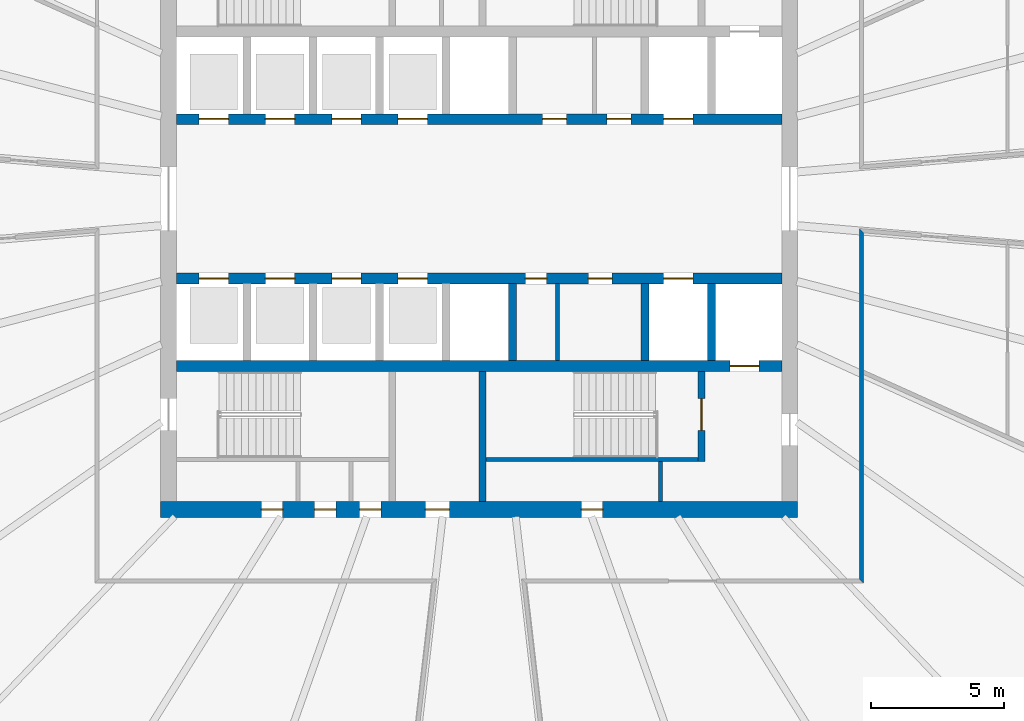
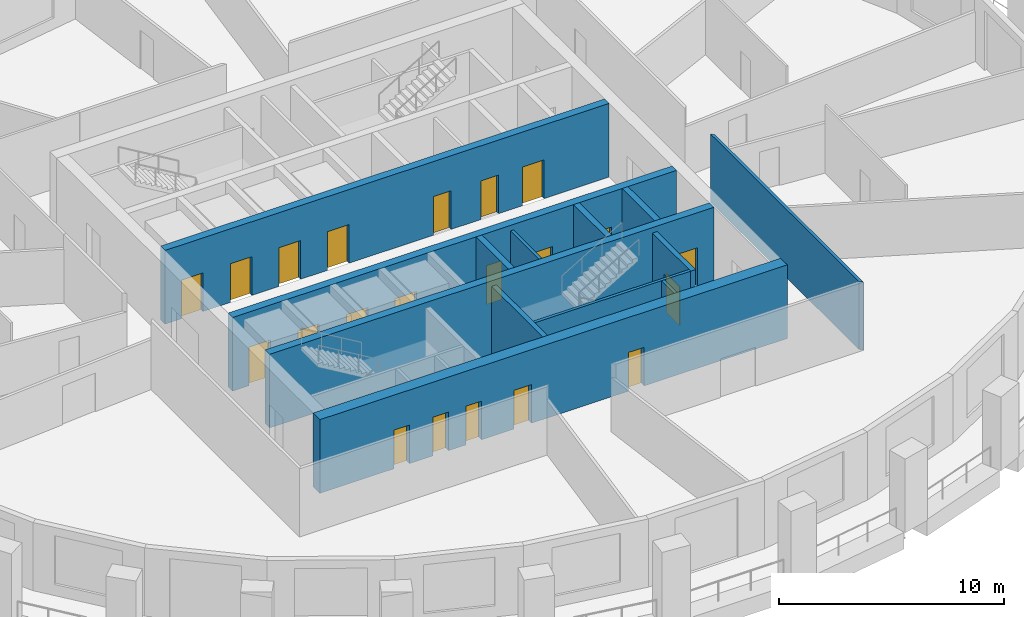
# One storey, part 4 of 10: 21 doors, 13 walls, 21 openings.
"""IFC4 building model written with IfcOpenShell, lengths in metres."""

from ifc_helpers import new_model, si_unit, direction, frame, frame_2d, origin, place, context, subcontext, project, spatial, polyline, rectangle, outline, extrude, material, layer, layer_set, type_object, element, fill, save


model = new_model("IFC4")

# Units and contexts
model_context = context("Model", 3, precision=1e-05, world=origin(), true_north=direction((0.0, 1.0)))
body_context = subcontext(model_context, "Body", "Model", "MODEL_VIEW")
ifc_project = project(units=[si_unit("LENGTHUNIT", "METRE"), si_unit("AREAUNIT", "SQUARE_METRE"), si_unit("VOLUMEUNIT", "CUBIC_METRE"), si_unit("PLANEANGLEUNIT", "RADIAN"), si_unit("MASSUNIT", "GRAM", prefix="KILO")], contexts=[model_context])

# Site, building, storey
site_placement = place(None, origin())
site = spatial("IfcSite", under=ifc_project, at=site_placement, CompositionType="ELEMENT")
building_placement = place(site_placement, origin())
building = spatial("IfcBuilding", under=site, at=building_placement, Name="Halqa Exchange Tower", CompositionType="ELEMENT")
storey_placement = place(building_placement, frame((0.0, 0.0, 182.89990234375)))
storey = spatial("IfcBuildingStorey", under=building, at=storey_placement, Name="L41", CompositionType="ELEMENT", Elevation=182.89990234375)

# Walls
ifc_material_1 = material(Name="Fire-rated gypsum board")
ifc_layer_1 = layer(ifc_material_1, 0.14990234375)
ifc_layer_set_1 = layer_set([ifc_layer_1], Name="Fire-rated gypsum board")
wall_type_1 = type_object("IfcWallType", Name="Fire partition EI 60 150", PredefinedType="PARTITIONING", material=ifc_layer_set_1)
wall_1_placement = place(storey_placement, frame((14.39990234375, -14.47509765625, 0.0), z_axis=(0.0, 0.0, 1.0), x_axis=(0.0, 1.0, 0.0)))
element("IfcWall", 1, at=wall_1_placement, inside=storey, type_object=wall_type_1, Name="L41-PWL-019", PredefinedType="PARTITIONING", context=body_context, shape_type="SweptSolid", body=[
    extrude(outline(polyline([(0.000244140625, -0.074951171875), (1.885009765625, -0.074951171875), (3.769775390625, -0.074951171875), (5.654541015625, -0.074951171875), (7.539306640625, -0.074951171875), (9.424072265625, -0.074951171875), (11.308837890625, -0.074951171875), (13.193603515625, -0.074951171875), (13.356689453125, 0.074951171875), (11.469970703125, 0.074951171875), (9.58349609375, 0.074951171875), (7.69677734375, 0.074951171875), (5.81005859375, 0.074951171875), (3.92333984375, 0.074951171875), (2.036865234375, 0.074951171875), (0.150146484375, 0.074951171875), (0.000244140625, -0.074951171875)])), origin(), (0.0, 0.0, 1.0), 3.7001953125),
])
ifc_material_2 = material(Name="Gypsum board")
ifc_layer_2 = layer(ifc_material_2, 0.14990234375)
ifc_layer_set_2 = layer_set([ifc_layer_2], Name="Gypsum board")
wall_type_2 = type_object("IfcWallType", Name="Penthouse riser wall 150 gypsum", PredefinedType="PARTITIONING", material=ifc_layer_set_2)
wall_2_placement = place(storey_placement, frame((6.824951171875, -11.39990234375, 0.0), z_axis=(0.0, 0.0, 1.0), x_axis=(0.0, 1.0, 0.0)))
element("IfcWall", 2, at=wall_2_placement, inside=storey, type_object=wall_type_2, Name="Firefighting lobby west wall S", PredefinedType="PARTITIONING", context=body_context, shape_type="SweptSolid", body=[
    extrude(rectangle(XDim=1.5, YDim=0.14990234375, at=frame_2d((0.75, 0.0))), origin(), (0.0, 0.0, 1.0), 3.7001953125),
])
wall_3_placement = place(storey_placement, frame((2.949951171875, -6.10009765625, 0.0), z_axis=(0.0, 0.0, 1.0), x_axis=(0.0, 1.0, 0.0)))
element("IfcWall", 3, at=wall_3_placement, inside=storey, type_object=wall_type_2, Name="Freed bay partition SE2.950", PredefinedType="PARTITIONING", context=body_context, shape_type="SweptSolid", body=[
    extrude(rectangle(XDim=2.900146484375, YDim=0.14990234375, at=frame_2d((1.4501953125, 0.0))), origin(), (0.0, 0.0, 1.0), 3.7001953125),
])
ifc_material_3 = material(Name="Concrete C60/75", Category="concrete")
ifc_layer_3 = layer(ifc_material_3, 0.300048828125)
ifc_layer_set_3 = layer_set([ifc_layer_3], Name="Concrete C60/75")
wall_type_3 = type_object("IfcWallType", Name="RC core wall 300", PredefinedType="SHEAR", material=ifc_layer_set_3)
for number, where, z_axis, x_axis, name in (
    (4, (1.25, -6.10009765625, 0.0), (0.0, 0.0, 1.0), (0.0, 1.0, 0.0), "Shaft divider S5"),
    (5, (6.25, -6.10009765625, 0.0), (0.0, 0.0, 1.0), (0.0, 1.0, 0.0), "Shaft divider S7"),
    (6, (8.75, -6.10009765625, 0.0), (0.0, 0.0, 1.0), (0.0, 1.0, 0.0), "Shaft divider S8"),
):
    element("IfcWall", number, at=place(storey_placement, frame(where, z_axis=z_axis, x_axis=x_axis)), inside=storey, type_object=wall_type_3, Name=name, PredefinedType="SHEAR", context=body_context, shape_type="SweptSolid", body=[
        extrude(rectangle(XDim=2.900146484375, YDim=0.300048828125, at=frame_2d((1.4501953125, 0.0))), origin(), (0.0, 0.0, 1.0), 4.0),
    ])

# Wall, openings, doors
ifc_material_4 = material(Name="Concrete C70/85", Category="concrete")
ifc_layer_4 = layer(ifc_material_4, 0.39990234375)
ifc_layer_set_4 = layer_set([ifc_layer_4], Name="Concrete C70/85")
wall_type_4 = type_object("IfcWallType", Name="RC core wall 400 C70/85", PredefinedType="SHEAR", material=ifc_layer_set_4)
wall_4_placement = place(storey_placement, frame((-11.39990234375, 3.0, 0.0), z_axis=(0.0, 0.0, 1.0), x_axis=(1.0, 0.0, 0.0)))
wall_4 = element("IfcWall", 7, at=wall_4_placement, inside=storey, type_object=wall_type_4, Name="Lift row front wall N", PredefinedType="SHEAR", context=body_context, shape_type="SweptSolid", body=[
    extrude(rectangle(XDim=22.7998046875, YDim=0.39990234375, at=frame_2d((11.39990234375, 0.0))), origin(), (0.0, 0.0, 1.0), 4.0),
])
opening_1_placement = place(wall_4_placement, frame((0.85009765625, 0.0, 0.0)))
opening_1 = element("IfcOpeningElement", 8, at=opening_1_placement, cuts=wall_4, Name="Opening LD-HR1-T12", PredefinedType="OPENING", context=body_context, shape_type="SweptSolid", body=[
    extrude(rectangle(XDim=1.10009765625, YDim=2.10009765625, at=frame_2d((0.550048828125, 1.050048828125))), frame((0.0, 0.2119140625, 0.0), z_axis=(0.0, -1.0, 0.0), x_axis=(1.0, 0.0, 0.0)), (0.0, 0.0, 1.0), 0.423828125),
])
opening_2_placement = place(wall_4_placement, frame((3.35009765625, 0.0, 0.0)))
opening_2 = element("IfcOpeningElement", 9, at=opening_2_placement, cuts=wall_4, Name="Opening LD-HR2-T12", PredefinedType="OPENING", context=body_context, shape_type="SweptSolid", body=[
    extrude(rectangle(XDim=1.10009765625, YDim=2.10009765625, at=frame_2d((0.550048828125, 1.050048828125))), frame((0.0, 0.2119140625, 0.0), z_axis=(0.0, -1.0, 0.0), x_axis=(1.0, 0.0, 0.0)), (0.0, 0.0, 1.0), 0.423828125),
])
opening_3_placement = place(wall_4_placement, frame((5.85009765625, 0.0, 0.0)))
opening_3 = element("IfcOpeningElement", 10, at=opening_3_placement, cuts=wall_4, Name="Opening LD-MR1-T12", PredefinedType="OPENING", context=body_context, shape_type="SweptSolid", body=[
    extrude(rectangle(XDim=1.10009765625, YDim=2.10009765625, at=frame_2d((0.550048828125, 1.050048828125))), frame((0.0, 0.2119140625, 0.0), z_axis=(0.0, -1.0, 0.0), x_axis=(1.0, 0.0, 0.0)), (0.0, 0.0, 1.0), 0.423828125),
])
opening_4_placement = place(wall_4_placement, frame((8.35009765625, 0.0, 0.0)))
opening_4 = element("IfcOpeningElement", 11, at=opening_4_placement, cuts=wall_4, Name="Opening LD-MR2-T12", PredefinedType="OPENING", context=body_context, shape_type="SweptSolid", body=[
    extrude(rectangle(XDim=1.10009765625, YDim=2.10009765625, at=frame_2d((0.550048828125, 1.050048828125))), frame((0.0, 0.2119140625, 0.0), z_axis=(0.0, -1.0, 0.0), x_axis=(1.0, 0.0, 0.0)), (0.0, 0.0, 1.0), 0.423828125),
])
opening_5_placement = place(wall_4_placement, frame((18.35009765625, 0.0, 0.0)))
opening_5 = element("IfcOpeningElement", 12, at=opening_5_placement, cuts=wall_4, Name="Opening LD-SV1-T12", PredefinedType="OPENING", context=body_context, shape_type="SweptSolid", body=[
    extrude(rectangle(XDim=1.10009765625, YDim=2.10009765625, at=frame_2d((0.550048828125, 1.050048828125))), frame((0.0, 0.2119140625, 0.0), z_axis=(0.0, -1.0, 0.0), x_axis=(1.0, 0.0, 0.0)), (0.0, 0.0, 1.0), 0.423828125),
])
opening_6_placement = place(wall_4_placement, frame((13.78759765625, 0.0, 0.0)))
opening_6 = element("IfcOpeningElement", 13, at=opening_6_placement, cuts=wall_4, Name="Opening T12-C31", PredefinedType="OPENING", context=body_context, shape_type="SweptSolid", body=[
    extrude(rectangle(XDim=0.89990234375, YDim=2.10009765625, at=frame_2d((0.449951171875, 1.050048828125))), frame((0.0, 0.2119140625, 0.0), z_axis=(0.0, -1.0, 0.0), x_axis=(1.0, 0.0, 0.0)), (0.0, 0.0, 1.0), 0.423828125),
])
opening_7_placement = place(wall_4_placement, frame((16.21240234375, 0.0, 0.0)))
opening_7 = element("IfcOpeningElement", 14, at=opening_7_placement, cuts=wall_4, Name="Opening T12-C32", PredefinedType="OPENING", context=body_context, shape_type="SweptSolid", body=[
    extrude(rectangle(XDim=0.89990234375, YDim=2.10009765625, at=frame_2d((0.449951171875, 1.050048828125))), frame((0.0, 0.2119140625, 0.0), z_axis=(0.0, -1.0, 0.0), x_axis=(1.0, 0.0, 0.0)), (0.0, 0.0, 1.0), 0.423828125),
])
ifc_material_5 = material(Name="Timber fire door leaf", Category="wood")
door_type_1 = type_object("IfcDoorType", Name="Core room door FD30 900 x 2100", OperationType="SINGLE_SWING_LEFT", PredefinedType="DOOR", material=ifc_material_5)
door_1_placement = place(opening_6_placement, origin())
door_1 = element("IfcDoor", 15, at=door_1_placement, inside=storey, type_object=door_type_1, Name="Core room door", OperationType="SINGLE_SWING_RIGHT", OverallHeight=2.10009765625, OverallWidth=0.89990234375, PredefinedType="DOOR", context=body_context, shape_type="SweptSolid", body=[
    extrude(rectangle(XDim=0.89990234375, YDim=2.10009765625, at=frame_2d((0.449951171875, 1.050048828125))), frame((0.0, 0.02490234375, 0.0), z_axis=(0.0, -1.0, 0.0), x_axis=(1.0, 0.0, 0.0)), (0.0, 0.0, 1.0), 0.050048828125),
])
fill(opening_6, door_1)
door_2_placement = place(opening_7_placement, origin())
door_2 = element("IfcDoor", 16, at=door_2_placement, inside=storey, type_object=door_type_1, Name="Core room door", OperationType="SINGLE_SWING_RIGHT", OverallHeight=2.10009765625, OverallWidth=0.89990234375, PredefinedType="DOOR", context=body_context, shape_type="SweptSolid", body=[
    extrude(rectangle(XDim=0.89990234375, YDim=2.10009765625, at=frame_2d((0.449951171875, 1.050048828125))), frame((0.0, 0.02490234375, 0.0), z_axis=(0.0, -1.0, 0.0), x_axis=(1.0, 0.0, 0.0)), (0.0, 0.0, 1.0), 0.050048828125),
])
fill(opening_7, door_2)
ifc_material_6 = material(Name="Stainless steel", Category="steel")
door_type_2 = type_object("IfcDoorType", Name="Lift landing door 1100 x 2100", OperationType="SLIDING_TO_LEFT", PredefinedType="DOOR", material=ifc_material_6)
door_3_placement = place(opening_1_placement, origin())
door_3 = element("IfcDoor", 17, at=door_3_placement, inside=storey, type_object=door_type_2, Name="Lift landing door HR1", OperationType="SLIDING_TO_LEFT", OverallHeight=2.10009765625, OverallWidth=1.10009765625, PredefinedType="DOOR", context=body_context, shape_type="SweptSolid", body=[
    extrude(rectangle(XDim=1.10009765625, YDim=2.10009765625, at=frame_2d((0.550048828125, 1.050048828125))), frame((0.0, 0.02490234375, 0.0), z_axis=(0.0, -1.0, 0.0), x_axis=(1.0, 0.0, 0.0)), (0.0, 0.0, 1.0), 0.050048828125),
])
fill(opening_1, door_3)
door_4_placement = place(opening_2_placement, origin())
door_4 = element("IfcDoor", 18, at=door_4_placement, inside=storey, type_object=door_type_2, Name="Lift landing door HR2", OperationType="SLIDING_TO_LEFT", OverallHeight=2.10009765625, OverallWidth=1.10009765625, PredefinedType="DOOR", context=body_context, shape_type="SweptSolid", body=[
    extrude(rectangle(XDim=1.10009765625, YDim=2.10009765625, at=frame_2d((0.550048828125, 1.050048828125))), frame((0.0, 0.02490234375, 0.0), z_axis=(0.0, -1.0, 0.0), x_axis=(1.0, 0.0, 0.0)), (0.0, 0.0, 1.0), 0.050048828125),
])
fill(opening_2, door_4)
door_5_placement = place(opening_3_placement, origin())
door_5 = element("IfcDoor", 19, at=door_5_placement, inside=storey, type_object=door_type_2, Name="Lift landing door MR1", OperationType="SLIDING_TO_LEFT", OverallHeight=2.10009765625, OverallWidth=1.10009765625, PredefinedType="DOOR", context=body_context, shape_type="SweptSolid", body=[
    extrude(rectangle(XDim=1.10009765625, YDim=2.10009765625, at=frame_2d((0.550048828125, 1.050048828125))), frame((0.0, 0.02490234375, 0.0), z_axis=(0.0, -1.0, 0.0), x_axis=(1.0, 0.0, 0.0)), (0.0, 0.0, 1.0), 0.050048828125),
])
fill(opening_3, door_5)
door_6_placement = place(opening_4_placement, origin())
door_6 = element("IfcDoor", 20, at=door_6_placement, inside=storey, type_object=door_type_2, Name="Lift landing door MR2", OperationType="SLIDING_TO_LEFT", OverallHeight=2.10009765625, OverallWidth=1.10009765625, PredefinedType="DOOR", context=body_context, shape_type="SweptSolid", body=[
    extrude(rectangle(XDim=1.10009765625, YDim=2.10009765625, at=frame_2d((0.550048828125, 1.050048828125))), frame((0.0, 0.02490234375, 0.0), z_axis=(0.0, -1.0, 0.0), x_axis=(1.0, 0.0, 0.0)), (0.0, 0.0, 1.0), 0.050048828125),
])
fill(opening_4, door_6)
door_7_placement = place(opening_5_placement, origin())
door_7 = element("IfcDoor", 21, at=door_7_placement, inside=storey, type_object=door_type_2, Name="Lift landing door SV1", OperationType="SLIDING_TO_LEFT", OverallHeight=2.10009765625, OverallWidth=1.10009765625, PredefinedType="DOOR", context=body_context, shape_type="SweptSolid", body=[
    extrude(rectangle(XDim=1.10009765625, YDim=2.10009765625, at=frame_2d((0.550048828125, 1.050048828125))), frame((0.0, 0.02490234375, 0.0), z_axis=(0.0, -1.0, 0.0), x_axis=(1.0, 0.0, 0.0)), (0.0, 0.0, 1.0), 0.050048828125),
])
fill(opening_5, door_7)

wall_5_placement = place(storey_placement, frame((-11.39990234375, -3.0, 0.0), z_axis=(0.0, 0.0, 1.0), x_axis=(1.0, 0.0, 0.0)))
wall_5 = element("IfcWall", 22, at=wall_5_placement, inside=storey, type_object=wall_type_4, Name="Lift row front wall S", PredefinedType="SHEAR", context=body_context, shape_type="SweptSolid", body=[
    extrude(rectangle(XDim=22.7998046875, YDim=0.39990234375, at=frame_2d((11.39990234375, 0.0))), origin(), (0.0, 0.0, 1.0), 4.0),
])
opening_8_placement = place(wall_5_placement, frame((0.85009765625, 0.0, 0.0)))
opening_8 = element("IfcOpeningElement", 23, at=opening_8_placement, cuts=wall_5, Name="Opening LD-HR3-T12", PredefinedType="OPENING", context=body_context, shape_type="SweptSolid", body=[
    extrude(rectangle(XDim=1.10009765625, YDim=2.10009765625, at=frame_2d((0.550048828125, 1.050048828125))), frame((0.0, 0.2119140625, 0.0), z_axis=(0.0, -1.0, 0.0), x_axis=(1.0, 0.0, 0.0)), (0.0, 0.0, 1.0), 0.423828125),
])
opening_9_placement = place(wall_5_placement, frame((3.35009765625, 0.0, 0.0)))
opening_9 = element("IfcOpeningElement", 24, at=opening_9_placement, cuts=wall_5, Name="Opening LD-HR4-T12", PredefinedType="OPENING", context=body_context, shape_type="SweptSolid", body=[
    extrude(rectangle(XDim=1.10009765625, YDim=2.10009765625, at=frame_2d((0.550048828125, 1.050048828125))), frame((0.0, 0.2119140625, 0.0), z_axis=(0.0, -1.0, 0.0), x_axis=(1.0, 0.0, 0.0)), (0.0, 0.0, 1.0), 0.423828125),
])
opening_10_placement = place(wall_5_placement, frame((5.85009765625, 0.0, 0.0)))
opening_10 = element("IfcOpeningElement", 25, at=opening_10_placement, cuts=wall_5, Name="Opening LD-MR3-T12", PredefinedType="OPENING", context=body_context, shape_type="SweptSolid", body=[
    extrude(rectangle(XDim=1.10009765625, YDim=2.10009765625, at=frame_2d((0.550048828125, 1.050048828125))), frame((0.0, 0.2119140625, 0.0), z_axis=(0.0, -1.0, 0.0), x_axis=(1.0, 0.0, 0.0)), (0.0, 0.0, 1.0), 0.423828125),
])
opening_11_placement = place(wall_5_placement, frame((8.35009765625, 0.0, 0.0)))
opening_11 = element("IfcOpeningElement", 26, at=opening_11_placement, cuts=wall_5, Name="Opening LD-MR4-T12", PredefinedType="OPENING", context=body_context, shape_type="SweptSolid", body=[
    extrude(rectangle(XDim=1.10009765625, YDim=2.10009765625, at=frame_2d((0.550048828125, 1.050048828125))), frame((0.0, 0.2119140625, 0.0), z_axis=(0.0, -1.0, 0.0), x_axis=(1.0, 0.0, 0.0)), (0.0, 0.0, 1.0), 0.423828125),
])
opening_12_placement = place(wall_5_placement, frame((18.35009765625, 0.0, 0.0)))
opening_12 = element("IfcOpeningElement", 27, at=opening_12_placement, cuts=wall_5, Name="Opening LD-SV2-T12", PredefinedType="OPENING", context=body_context, shape_type="SweptSolid", body=[
    extrude(rectangle(XDim=1.10009765625, YDim=2.10009765625, at=frame_2d((0.550048828125, 1.050048828125))), frame((0.0, 0.2119140625, 0.0), z_axis=(0.0, -1.0, 0.0), x_axis=(1.0, 0.0, 0.0)), (0.0, 0.0, 1.0), 0.423828125),
])
opening_13_placement = place(wall_5_placement, frame((13.137451171875, 0.0, 0.0)))
opening_13 = element("IfcOpeningElement", 28, at=opening_13_placement, cuts=wall_5, Name="Opening T12-C33", PredefinedType="OPENING", context=body_context, shape_type="SweptSolid", body=[
    extrude(rectangle(XDim=0.800048828125, YDim=2.10009765625, at=frame_2d((0.39990234375, 1.050048828125))), frame((0.0, 0.2119140625, 0.0), z_axis=(0.0, -1.0, 0.0), x_axis=(1.0, 0.0, 0.0)), (0.0, 0.0, 1.0), 0.423828125),
])
opening_14_placement = place(wall_5_placement, frame((15.512451171875, 0.0, 0.0)))
opening_14 = element("IfcOpeningElement", 29, at=opening_14_placement, cuts=wall_5, Name="Opening T12-C34", PredefinedType="OPENING", context=body_context, shape_type="SweptSolid", body=[
    extrude(rectangle(XDim=0.89990234375, YDim=2.10009765625, at=frame_2d((0.449951171875, 1.050048828125))), frame((0.0, 0.2119140625, 0.0), z_axis=(0.0, -1.0, 0.0), x_axis=(1.0, 0.0, 0.0)), (0.0, 0.0, 1.0), 0.423828125),
])
door_8_placement = place(opening_14_placement, frame((0.89990234375, 0.0, 0.0), z_axis=(0.0, 0.0, 1.0), x_axis=(-1.0, 0.0, 0.0)))
door_8 = element("IfcDoor", 30, at=door_8_placement, inside=storey, type_object=door_type_1, Name="Core room door", OperationType="SINGLE_SWING_RIGHT", OverallHeight=2.10009765625, OverallWidth=0.89990234375, PredefinedType="DOOR", context=body_context, shape_type="SweptSolid", body=[
    extrude(rectangle(XDim=0.89990234375, YDim=2.10009765625, at=frame_2d((0.449951171875, 1.050048828125))), frame((0.0, 0.02490234375, 0.0), z_axis=(0.0, -1.0, 0.0), x_axis=(1.0, 0.0, 0.0)), (0.0, 0.0, 1.0), 0.050048828125),
])
fill(opening_14, door_8)
door_9_placement = place(opening_8_placement, origin())
door_9 = element("IfcDoor", 31, at=door_9_placement, inside=storey, type_object=door_type_2, Name="Lift landing door HR3", OperationType="SLIDING_TO_LEFT", OverallHeight=2.10009765625, OverallWidth=1.10009765625, PredefinedType="DOOR", context=body_context, shape_type="SweptSolid", body=[
    extrude(rectangle(XDim=1.10009765625, YDim=2.10009765625, at=frame_2d((0.550048828125, 1.050048828125))), frame((0.0, 0.02490234375, 0.0), z_axis=(0.0, -1.0, 0.0), x_axis=(1.0, 0.0, 0.0)), (0.0, 0.0, 1.0), 0.050048828125),
])
fill(opening_8, door_9)
door_10_placement = place(opening_9_placement, origin())
door_10 = element("IfcDoor", 32, at=door_10_placement, inside=storey, type_object=door_type_2, Name="Lift landing door HR4", OperationType="SLIDING_TO_LEFT", OverallHeight=2.10009765625, OverallWidth=1.10009765625, PredefinedType="DOOR", context=body_context, shape_type="SweptSolid", body=[
    extrude(rectangle(XDim=1.10009765625, YDim=2.10009765625, at=frame_2d((0.550048828125, 1.050048828125))), frame((0.0, 0.02490234375, 0.0), z_axis=(0.0, -1.0, 0.0), x_axis=(1.0, 0.0, 0.0)), (0.0, 0.0, 1.0), 0.050048828125),
])
fill(opening_9, door_10)
door_11_placement = place(opening_10_placement, origin())
door_11 = element("IfcDoor", 33, at=door_11_placement, inside=storey, type_object=door_type_2, Name="Lift landing door MR3", OperationType="SLIDING_TO_LEFT", OverallHeight=2.10009765625, OverallWidth=1.10009765625, PredefinedType="DOOR", context=body_context, shape_type="SweptSolid", body=[
    extrude(rectangle(XDim=1.10009765625, YDim=2.10009765625, at=frame_2d((0.550048828125, 1.050048828125))), frame((0.0, 0.02490234375, 0.0), z_axis=(0.0, -1.0, 0.0), x_axis=(1.0, 0.0, 0.0)), (0.0, 0.0, 1.0), 0.050048828125),
])
fill(opening_10, door_11)
door_12_placement = place(opening_11_placement, origin())
door_12 = element("IfcDoor", 34, at=door_12_placement, inside=storey, type_object=door_type_2, Name="Lift landing door MR4", OperationType="SLIDING_TO_LEFT", OverallHeight=2.10009765625, OverallWidth=1.10009765625, PredefinedType="DOOR", context=body_context, shape_type="SweptSolid", body=[
    extrude(rectangle(XDim=1.10009765625, YDim=2.10009765625, at=frame_2d((0.550048828125, 1.050048828125))), frame((0.0, 0.02490234375, 0.0), z_axis=(0.0, -1.0, 0.0), x_axis=(1.0, 0.0, 0.0)), (0.0, 0.0, 1.0), 0.050048828125),
])
fill(opening_11, door_12)
door_13_placement = place(opening_12_placement, origin())
door_13 = element("IfcDoor", 35, at=door_13_placement, inside=storey, type_object=door_type_2, Name="Lift landing door SV2", OperationType="SLIDING_TO_LEFT", OverallHeight=2.10009765625, OverallWidth=1.10009765625, PredefinedType="DOOR", context=body_context, shape_type="SweptSolid", body=[
    extrude(rectangle(XDim=1.10009765625, YDim=2.10009765625, at=frame_2d((0.550048828125, 1.050048828125))), frame((0.0, 0.02490234375, 0.0), z_axis=(0.0, -1.0, 0.0), x_axis=(1.0, 0.0, 0.0)), (0.0, 0.0, 1.0), 0.050048828125),
])
fill(opening_12, door_13)
ifc_material_7 = material(Name="Steel fire door leaf", Category="steel")
door_type_3 = type_object("IfcDoorType", Name="Riser door FD60 800 x 2100", OperationType="SINGLE_SWING_LEFT", PredefinedType="DOOR", material=ifc_material_7)
door_14_placement = place(opening_13_placement, frame((0.800048828125, 0.0, 0.0), z_axis=(0.0, 0.0, 1.0), x_axis=(-1.0, 0.0, 0.0)))
door_14 = element("IfcDoor", 36, at=door_14_placement, inside=storey, type_object=door_type_3, Name="Core room door", OperationType="SINGLE_SWING_LEFT", OverallHeight=2.10009765625, OverallWidth=0.800048828125, PredefinedType="DOOR", context=body_context, shape_type="SweptSolid", body=[
    extrude(rectangle(XDim=0.800048828125, YDim=2.10009765625, at=frame_2d((0.39990234375, 1.050048828125))), frame((0.0, 0.02490234375, 0.0), z_axis=(0.0, -1.0, 0.0), x_axis=(1.0, 0.0, 0.0)), (0.0, 0.0, 1.0), 0.050048828125),
])
fill(opening_13, door_14)

# Wall, opening, door
wall_6_placement = place(storey_placement, frame((-11.39990234375, -6.300048828125, 0.0), z_axis=(0.0, 0.0, 1.0), x_axis=(1.0, 0.0, 0.0)))
wall_6 = element("IfcWall", 37, at=wall_6_placement, inside=storey, type_object=wall_type_4, Name="Lift row back wall S", PredefinedType="SHEAR", context=body_context, shape_type="SweptSolid", body=[
    extrude(rectangle(XDim=22.7998046875, YDim=0.39990234375, at=frame_2d((11.39990234375, 0.0))), origin(), (0.0, 0.0, 1.0), 4.0),
])
opening_15_placement = place(wall_6_placement, frame((20.85009765625, 0.0, 0.0)))
opening_15 = element("IfcOpeningElement", 38, at=opening_15_placement, cuts=wall_6, Name="Opening LD-FF2-T12", PredefinedType="OPENING", context=body_context, shape_type="SweptSolid", body=[
    extrude(rectangle(XDim=1.10009765625, YDim=2.10009765625, at=frame_2d((0.550048828125, 1.050048828125))), frame((0.0, 0.2119140625, 0.0), z_axis=(0.0, -1.0, 0.0), x_axis=(1.0, 0.0, 0.0)), (0.0, 0.0, 1.0), 0.423828125),
])
door_15_placement = place(opening_15_placement, origin())
door_15 = element("IfcDoor", 39, at=door_15_placement, inside=storey, type_object=door_type_2, Name="Lift landing door FF2", OperationType="SLIDING_TO_LEFT", OverallHeight=2.10009765625, OverallWidth=1.10009765625, PredefinedType="DOOR", context=body_context, shape_type="SweptSolid", body=[
    extrude(rectangle(XDim=1.10009765625, YDim=2.10009765625, at=frame_2d((0.550048828125, 1.050048828125))), frame((0.0, 0.02490234375, 0.0), z_axis=(0.0, -1.0, 0.0), x_axis=(1.0, 0.0, 0.0)), (0.0, 0.0, 1.0), 0.050048828125),
])
fill(opening_15, door_15)

# Wall, openings, doors
ifc_layer_5 = layer(ifc_material_4, 0.60009765625)
ifc_layer_set_5 = layer_set([ifc_layer_5], Name="Concrete C70/85")
wall_type_5 = type_object("IfcWallType", Name="RC core wall 600 C70/85", PredefinedType="SHEAR", material=ifc_layer_set_5)
wall_7_placement = place(storey_placement, frame((-12.0, -11.699951171875, 0.0), z_axis=(0.0, 0.0, 1.0), x_axis=(1.0, 0.0, 0.0)))
wall_7 = element("IfcWall", 40, at=wall_7_placement, inside=storey, type_object=wall_type_5, Name="Core wall south", PredefinedType="SHEAR", context=body_context, shape_type="SweptSolid", body=[
    extrude(rectangle(XDim=24.0, YDim=0.60009765625, at=frame_2d((12.0, 0.0))), origin(), (0.0, 0.0, 1.0), 4.0),
])
opening_16_placement = place(wall_7_placement, frame((9.97509765625, 0.0, 0.0)))
opening_16 = element("IfcOpeningElement", 41, at=opening_16_placement, cuts=wall_7, Name="Opening T12-C26", PredefinedType="OPENING", context=body_context, shape_type="SweptSolid", body=[
    extrude(rectangle(XDim=0.89990234375, YDim=2.10009765625, at=frame_2d((0.449951171875, 1.050048828125))), frame((0.0, 0.31201171875, 0.0), z_axis=(0.0, -1.0, 0.0), x_axis=(1.0, 0.0, 0.0)), (0.0, 0.0, 1.0), 0.6240234375),
])
opening_17_placement = place(wall_7_placement, frame((3.800048828125, 0.0, 0.0)))
opening_17 = element("IfcOpeningElement", 42, at=opening_17_placement, cuts=wall_7, Name="Opening T12-C27", PredefinedType="OPENING", context=body_context, shape_type="SweptSolid", body=[
    extrude(rectangle(XDim=0.800048828125, YDim=2.10009765625, at=frame_2d((0.39990234375, 1.050048828125))), frame((0.0, 0.31201171875, 0.0), z_axis=(0.0, -1.0, 0.0), x_axis=(1.0, 0.0, 0.0)), (0.0, 0.0, 1.0), 0.6240234375),
])
opening_18_placement = place(wall_7_placement, frame((5.800048828125, 0.0, 0.0)))
opening_18 = element("IfcOpeningElement", 43, at=opening_18_placement, cuts=wall_7, Name="Opening T12-C28", PredefinedType="OPENING", context=body_context, shape_type="SweptSolid", body=[
    extrude(rectangle(XDim=0.800048828125, YDim=2.10009765625, at=frame_2d((0.39990234375, 1.050048828125))), frame((0.0, 0.31201171875, 0.0), z_axis=(0.0, -1.0, 0.0), x_axis=(1.0, 0.0, 0.0)), (0.0, 0.0, 1.0), 0.6240234375),
])
opening_19_placement = place(wall_7_placement, frame((7.5, 0.0, 0.0)))
opening_19 = element("IfcOpeningElement", 44, at=opening_19_placement, cuts=wall_7, Name="Opening T12-C29", PredefinedType="OPENING", context=body_context, shape_type="SweptSolid", body=[
    extrude(rectangle(XDim=0.800048828125, YDim=2.10009765625, at=frame_2d((0.39990234375, 1.050048828125))), frame((0.0, 0.31201171875, 0.0), z_axis=(0.0, -1.0, 0.0), x_axis=(1.0, 0.0, 0.0)), (0.0, 0.0, 1.0), 0.6240234375),
])
opening_20_placement = place(wall_7_placement, frame((15.85009765625, 0.0, 0.0)))
opening_20 = element("IfcOpeningElement", 45, at=opening_20_placement, cuts=wall_7, Name="Opening T12-C30", PredefinedType="OPENING", context=body_context, shape_type="SweptSolid", body=[
    extrude(rectangle(XDim=0.800048828125, YDim=2.10009765625, at=frame_2d((0.39990234375, 1.050048828125))), frame((0.0, 0.31201171875, 0.0), z_axis=(0.0, -1.0, 0.0), x_axis=(1.0, 0.0, 0.0)), (0.0, 0.0, 1.0), 0.6240234375),
])
door_16_placement = place(opening_16_placement, origin())
door_16 = element("IfcDoor", 46, at=door_16_placement, inside=storey, type_object=door_type_1, Name="Core room door", OperationType="SINGLE_SWING_RIGHT", OverallHeight=2.10009765625, OverallWidth=0.89990234375, PredefinedType="DOOR", context=body_context, shape_type="SweptSolid", body=[
    extrude(rectangle(XDim=0.89990234375, YDim=2.10009765625, at=frame_2d((0.449951171875, 1.050048828125))), frame((0.0, 0.02490234375, 0.0), z_axis=(0.0, -1.0, 0.0), x_axis=(1.0, 0.0, 0.0)), (0.0, 0.0, 1.0), 0.050048828125),
])
fill(opening_16, door_16)
door_17_placement = place(opening_17_placement, origin())
door_17 = element("IfcDoor", 47, at=door_17_placement, inside=storey, type_object=door_type_3, Name="Core room door", OperationType="SINGLE_SWING_LEFT", OverallHeight=2.10009765625, OverallWidth=0.800048828125, PredefinedType="DOOR", context=body_context, shape_type="SweptSolid", body=[
    extrude(rectangle(XDim=0.800048828125, YDim=2.10009765625, at=frame_2d((0.39990234375, 1.050048828125))), frame((0.0, 0.02490234375, 0.0), z_axis=(0.0, -1.0, 0.0), x_axis=(1.0, 0.0, 0.0)), (0.0, 0.0, 1.0), 0.050048828125),
])
fill(opening_17, door_17)
door_18_placement = place(opening_18_placement, origin())
door_18 = element("IfcDoor", 48, at=door_18_placement, inside=storey, type_object=door_type_3, Name="Core room door", OperationType="SINGLE_SWING_LEFT", OverallHeight=2.10009765625, OverallWidth=0.800048828125, PredefinedType="DOOR", context=body_context, shape_type="SweptSolid", body=[
    extrude(rectangle(XDim=0.800048828125, YDim=2.10009765625, at=frame_2d((0.39990234375, 1.050048828125))), frame((0.0, 0.02490234375, 0.0), z_axis=(0.0, -1.0, 0.0), x_axis=(1.0, 0.0, 0.0)), (0.0, 0.0, 1.0), 0.050048828125),
])
fill(opening_18, door_18)
door_19_placement = place(opening_19_placement, origin())
door_19 = element("IfcDoor", 49, at=door_19_placement, inside=storey, type_object=door_type_3, Name="Core room door", OperationType="SINGLE_SWING_LEFT", OverallHeight=2.10009765625, OverallWidth=0.800048828125, PredefinedType="DOOR", context=body_context, shape_type="SweptSolid", body=[
    extrude(rectangle(XDim=0.800048828125, YDim=2.10009765625, at=frame_2d((0.39990234375, 1.050048828125))), frame((0.0, 0.02490234375, 0.0), z_axis=(0.0, -1.0, 0.0), x_axis=(1.0, 0.0, 0.0)), (0.0, 0.0, 1.0), 0.050048828125),
])
fill(opening_19, door_19)
door_20_placement = place(opening_20_placement, origin())
door_20 = element("IfcDoor", 50, at=door_20_placement, inside=storey, type_object=door_type_3, Name="Core room door", OperationType="SINGLE_SWING_LEFT", OverallHeight=2.10009765625, OverallWidth=0.800048828125, PredefinedType="DOOR", context=body_context, shape_type="SweptSolid", body=[
    extrude(rectangle(XDim=0.800048828125, YDim=2.10009765625, at=frame_2d((0.39990234375, 1.050048828125))), frame((0.0, 0.02490234375, 0.0), z_axis=(0.0, -1.0, 0.0), x_axis=(1.0, 0.0, 0.0)), (0.0, 0.0, 1.0), 0.050048828125),
])
fill(opening_20, door_20)

# Walls
ifc_material_8 = material(Name="Concrete C30/37", Category="concrete")
ifc_layer_6 = layer(ifc_material_8, 0.14990234375)
ifc_layer_set_6 = layer_set([ifc_layer_6], Name="Concrete C30/37")
wall_type_6 = type_object("IfcWallType", Name="RC stair wall 150 C30/37", PredefinedType="SHEAR", material=ifc_layer_set_6)
wall_8_placement = place(storey_placement, frame((0.25, -9.824951171875, 0.0), z_axis=(0.0, 0.0, 1.0), x_axis=(1.0, 0.0, 0.0)))
element("IfcWall", 51, at=wall_8_placement, inside=storey, type_object=wall_type_6, Name="Stair ST2 north wall S", PredefinedType="SHEAR", context=body_context, shape_type="SweptSolid", body=[
    extrude(rectangle(XDim=8.0, YDim=0.14990234375, at=frame_2d((4.0, 0.0))), origin(), (0.0, 0.0, 1.0), 3.7001953125),
])
ifc_layer_7 = layer(ifc_material_8, 0.25)
ifc_layer_set_7 = layer_set([ifc_layer_7], Name="Concrete C30/37")
wall_type_7 = type_object("IfcWallType", Name="RC stair wall 250 C30/37", PredefinedType="SHEAR", material=ifc_layer_set_7)
wall_9_placement = place(storey_placement, frame((0.125, -11.39990234375, 0.0), z_axis=(0.0, 0.0, 1.0), x_axis=(0.0, 1.0, 0.0)))
element("IfcWall", 52, at=wall_9_placement, inside=storey, type_object=wall_type_7, Name="Stair ST2 west wall S", PredefinedType="SHEAR", context=body_context, shape_type="SweptSolid", body=[
    extrude(rectangle(XDim=4.89990234375, YDim=0.25, at=frame_2d((2.449951171875, 0.0))), origin(), (0.0, 0.0, 1.0), 3.7001953125),
])

# Wall, opening, door
wall_10_placement = place(storey_placement, frame((8.375, -9.89990234375, 0.0), z_axis=(0.0, 0.0, 1.0), x_axis=(0.0, 1.0, 0.0)))
wall_10 = element("IfcWall", 53, at=wall_10_placement, inside=storey, type_object=wall_type_7, Name="Stair ST2 east wall S", PredefinedType="SHEAR", context=body_context, shape_type="SweptSolid", body=[
    extrude(rectangle(XDim=3.39990234375, YDim=0.25, at=frame_2d((1.699951171875, 0.0))), origin(), (0.0, 0.0, 1.0), 3.7001953125),
])
opening_21_placement = place(wall_10_placement, frame((1.175048828125, 0.0, 0.0)))
opening_21 = element("IfcOpeningElement", 54, at=opening_21_placement, cuts=wall_10, Name="Opening T12-C18", PredefinedType="OPENING", context=body_context, shape_type="SweptSolid", body=[
    extrude(rectangle(XDim=1.199951171875, YDim=2.10009765625, at=frame_2d((0.60009765625, 1.050048828125))), frame((0.0, 0.136962890625, 0.0), z_axis=(0.0, -1.0, 0.0), x_axis=(1.0, 0.0, 0.0)), (0.0, 0.0, 1.0), 0.27392578125),
])
door_type_4 = type_object("IfcDoorType", Name="Stair door FD90 1200 x 2100", OperationType="SINGLE_SWING_LEFT", PredefinedType="DOOR", material=ifc_material_7)
door_21_placement = place(opening_21_placement, origin())
door_21 = element("IfcDoor", 55, at=door_21_placement, inside=storey, type_object=door_type_4, Name="Stair door ST4", OperationType="SINGLE_SWING_RIGHT", OverallHeight=2.10009765625, OverallWidth=1.199951171875, PredefinedType="DOOR", context=body_context, shape_type="SweptSolid", body=[
    extrude(rectangle(XDim=1.199951171875, YDim=2.10009765625, at=frame_2d((0.60009765625, 1.050048828125))), frame((0.0, 0.02490234375, 0.0), z_axis=(0.0, -1.0, 0.0), x_axis=(1.0, 0.0, 0.0)), (0.0, 0.0, 1.0), 0.050048828125),
])
fill(opening_21, door_21)

save(model, "model.ifc")
